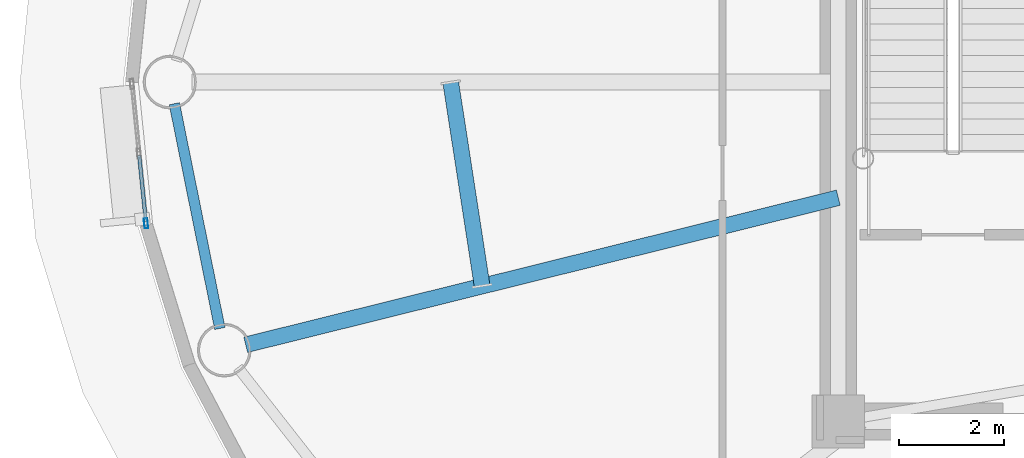
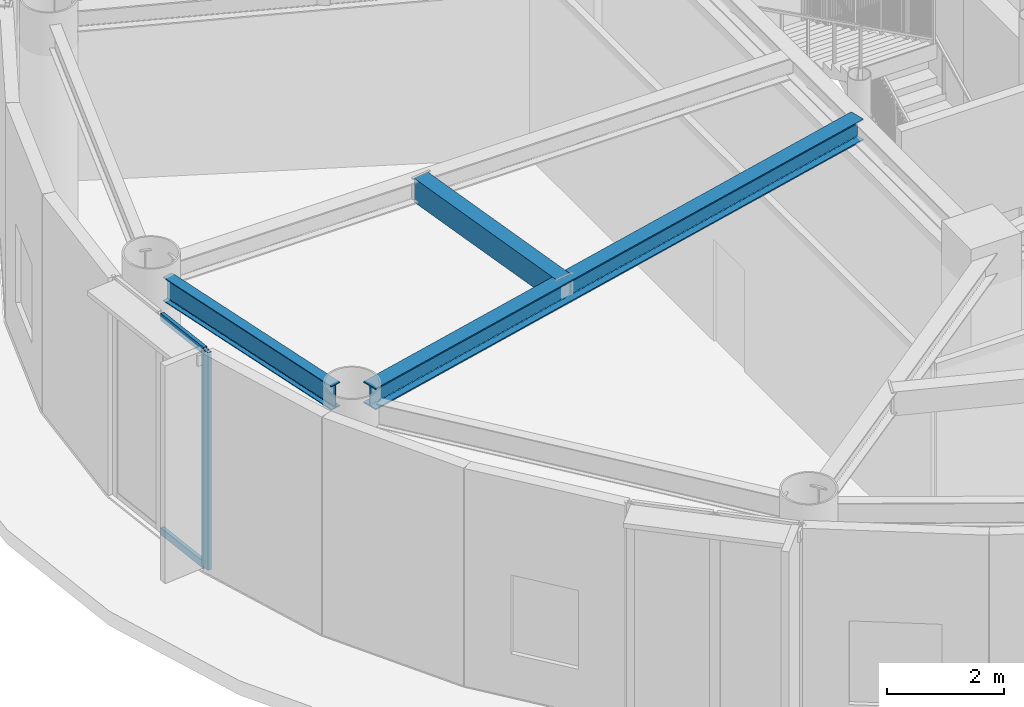
# One storey, part 5 of 32: 3 beams, 3 members, 1 element without a shape of its own.
"""IFC4 building model written with IfcOpenShell, lengths in metres."""

from ifc_helpers import new_model, si_unit, direction, frame, origin, origin_2d, place, context, subcontext, project, spatial, hollow_rectangle, i_section, extrude, source, transform, mapped, material, layer, layer_set, material_profile, profile_set, type_object, element, aggregate, save


model = new_model("IFC4")

# Units and contexts
model_context = context("Model", 3, precision=1e-05, world=origin(), true_north=direction((0.0, 1.0)))
body_context = subcontext(model_context, "Body", "Model", "MODEL_VIEW")
ifc_project = project(units=[si_unit("LENGTHUNIT", "METRE"), si_unit("AREAUNIT", "SQUARE_METRE"), si_unit("VOLUMEUNIT", "CUBIC_METRE"), si_unit("PLANEANGLEUNIT", "RADIAN"), si_unit("MASSUNIT", "GRAM", prefix="KILO")], contexts=[model_context])

# Site, building, storey
site_placement = place(None, origin())
site = spatial("IfcSite", under=ifc_project, at=site_placement, CompositionType="ELEMENT")
building_placement = place(site_placement, origin())
building = spatial("IfcBuilding", under=site, at=building_placement, Name="Linh Dai School and Residence Tower", CompositionType="ELEMENT")
storey_placement = place(building_placement, frame((0.0, 0.0, 268.199951171875)))
storey = spatial("IfcBuildingStorey", under=building, at=storey_placement, Name="L66", CompositionType="ELEMENT", Elevation=268.199951171875)

# Beams
ifc_material_1 = material(Name="Structural Steel S355JR", Category="steel")
ifc_material_profile_1 = material_profile(ifc_material_1, hollow_rectangle(XDim=0.300048828125, YDim=0.5, WallThickness=0.01611328125, at=origin_2d()), Name="RHS 500x300x16")
ifc_profile_set_1 = profile_set([ifc_material_profile_1], Name="Structural Steel S355JR")
beam_type_1 = type_object("IfcBeamType", Name="BM-BX5", PredefinedType="BEAM", material=ifc_profile_set_1)
beam_1_placement = place(storey_placement, frame((19.78466796875, 26.9951171875, 4.300048828125), z_axis=(0.15246970742, -0.988308144416, 0.0), x_axis=(0.988308144416, 0.15246970742, 0.0)))
element("IfcBeam", 1, at=beam_1_placement, inside=storey, type_object=beam_type_1, Name="L66 Secondary Circumferential Floor Beam 05", PredefinedType="BEAM", context=body_context, shape_type="SweptSolid", body=[
    extrude(hollow_rectangle(XDim=0.300048828125, YDim=0.5, WallThickness=0.01611328125, at=origin_2d()), origin(), (0.0, 0.0, 1.0), 3.913330078125),
])
ifc_material_profile_2 = material_profile(ifc_material_1, i_section(OverallWidth=0.199951171875, OverallDepth=0.5, WebThickness=0.01025390625, FlangeThickness=0.01611328125, FilletRadius=0.02099609375, at=origin_2d()), Name="IPE 500")
ifc_profile_set_2 = profile_set([ifc_material_profile_2], Name="Structural Steel S355JR")
beam_type_2 = type_object("IfcBeamType", Name="BM-RB50", PredefinedType="BEAM", material=ifc_profile_set_2)
beam_2_placement = place(storey_placement, frame((14.533447265625, 26.58837890625, 4.300048828125), z_axis=(0.198442801529, -0.980112470343, 0.0), x_axis=(0.980112470343, 0.198442801529, 0.0)))
element("IfcBeam", 2, at=beam_2_placement, inside=storey, type_object=beam_type_2, Name="L66 Perimeter Elliptical Ring Beam 09", PredefinedType="BEAM", context=body_context, shape_type="SweptSolid", body=[
    extrude(i_section(OverallWidth=0.199951171875, OverallDepth=0.5, WebThickness=0.01025390625, FlangeThickness=0.01611328125, FilletRadius=0.02099609375, at=origin_2d()), origin(), (0.0, 0.0, 1.0), 4.357666015625),
])
ifc_material_profile_3 = material_profile(ifc_material_1, i_section(OverallWidth=0.300048828125, OverallDepth=0.449951171875, WebThickness=0.013916015625, FlangeThickness=0.02587890625, FilletRadius=0.027099609375, at=origin_2d()), Name="HEB 450")
ifc_profile_set_3 = profile_set([ifc_material_profile_3], Name="Structural Steel S355JR")
beam_type_3 = type_object("IfcBeamType", Name="BM-RG45", PredefinedType="BEAM", material=ifc_profile_set_3)
beam_3_placement = place(storey_placement, frame((27.14990234375, 24.802734375, 4.324951171875), z_axis=(-0.970532368701, -0.240970789315, 0.0), x_axis=(0.240970789315, -0.970532368701, 0.0)))
element("IfcBeam", 3, at=beam_3_placement, inside=storey, type_object=beam_type_3, Name="L66 Primary Radial Floor Girder 10", PredefinedType="BEAM", context=body_context, shape_type="SweptSolid", body=[
    extrude(i_section(OverallWidth=0.300048828125, OverallDepth=0.449951171875, WebThickness=0.013916015625, FlangeThickness=0.02587890625, FilletRadius=0.027099609375, at=origin_2d()), origin(), (0.0, 0.0, 1.0), 11.6025390625),
])

# Curtain wall, members
ifc_material_2 = material(Name="Aluminium Anodised Curtain Wall", Category="aluminium")
ifc_layer = layer(ifc_material_2, 0.18994140625)
ifc_layer_set = layer_set([ifc_layer], Name="Aluminium Anodised Curtain Wall")
curtain_wall_type = type_object("IfcCurtainWallType", Name="CW-SYS-5", PredefinedType="USERDEFINED", material=ifc_layer_set)
curtain_wall_placement = place(storey_placement, origin())
curtain_wall = element("IfcCurtainWall", 4, at=curtain_wall_placement, inside=storey, type_object=curtain_wall_type, Name="L66 CW5 Curtain Wall 21", ObjectType="UNITISED CURTAIN WALL", PredefinedType="USERDEFINED")
ifc_material_3 = material(Name="Aluminium Alloy 6063-T6", Category="aluminium")
ifc_material_profile_4 = material_profile(ifc_material_3, hollow_rectangle(XDim=0.070068359375, YDim=0.18994140625, WallThickness=0.00390625, at=origin_2d()), Name="RHS 190x70x4")
ifc_profile_set_4 = profile_set([ifc_material_profile_4], Name="Aluminium Alloy 6063-T6")
member_type_1 = type_object("IfcMemberType", Name="CW-SYS-5-MUL", PredefinedType="MULLION", material=ifc_profile_set_4)
shared_shape_1 = source(origin(), body_context, "Body", "SweptSolid", [
    extrude(hollow_rectangle(XDim=0.070068359375, YDim=0.18994140625, WallThickness=0.00390625, at=origin_2d()), origin(), (0.0, 0.0, 1.0), 4.550048828125),
])
member_1_placement = place(storey_placement, frame((13.994873046875, 24.315673828125, 0.0), z_axis=(0.0, 0.0, 1.0), x_axis=(-0.994986629598, -0.100008034283, 0.0)))
member_1 = element("IfcMember", 5, at=member_1_placement, type_object=member_type_1, Name="CW5 mullion 1", PredefinedType="MULLION", context=body_context, shape_type="MappedRepresentation", body=[
    mapped(shared_shape_1, transform((0.0, 0.0, 0.0), x_axis=(1.0, 0.0, 0.0), y_axis=(0.0, 1.0, 0.0), z_axis=(0.0, 0.0, 1.0), scale=1.0)),
])
ifc_material_profile_5 = material_profile(ifc_material_3, hollow_rectangle(XDim=0.070068359375, YDim=0.14990234375, WallThickness=0.00390625, at=origin_2d()), Name="RHS 150x70x4")
ifc_profile_set_5 = profile_set([ifc_material_profile_5], Name="Aluminium Alloy 6063-T6")
member_type_2 = type_object("IfcMemberType", Name="CW-SYS-5-TRN", PredefinedType="USERDEFINED", material=ifc_profile_set_5)
shared_shape_2 = source(origin(), body_context, "Body", "SweptSolid", [
    extrude(hollow_rectangle(XDim=0.070068359375, YDim=0.14990234375, WallThickness=0.00390625, at=origin_2d()), origin(), (0.0, 0.0, 1.0), 1.261474609375),
])
member_2_placement = place(storey_placement, frame((13.9912109375, 24.3505859375, 0.03515625), z_axis=(-0.099867801744, 0.99500071466, 0.0), x_axis=(-0.99500071466, -0.099867801744, 0.0)))
member_2 = element("IfcMember", 6, at=member_2_placement, type_object=member_type_2, Name="CW5 transom 1.1", ObjectType="TRANSOM", PredefinedType="USERDEFINED", context=body_context, shape_type="MappedRepresentation", body=[
    mapped(shared_shape_2, transform((0.0, 0.0, 0.0), x_axis=(1.0, 0.0, 0.0), y_axis=(0.0, 1.0, 0.0), z_axis=(0.0, 0.0, 1.0), scale=1.0)),
])
member_3_placement = place(storey_placement, frame((13.9912109375, 24.3505859375, 4.51513671875), z_axis=(-0.099867801744, 0.99500071466, 0.0), x_axis=(-0.99500071466, -0.099867801744, 0.0)))
member_3 = element("IfcMember", 7, at=member_3_placement, type_object=member_type_2, Name="CW5 transom 1.2", ObjectType="TRANSOM", PredefinedType="USERDEFINED", context=body_context, shape_type="MappedRepresentation", body=[
    mapped(shared_shape_2, transform((0.0, 0.0, 0.0), x_axis=(1.0, 0.0, 0.0), y_axis=(0.0, 1.0, 0.0), z_axis=(0.0, 0.0, 1.0), scale=1.0)),
])
aggregate(curtain_wall, [member_1, member_2, member_3])

save(model, "model.ifc")
